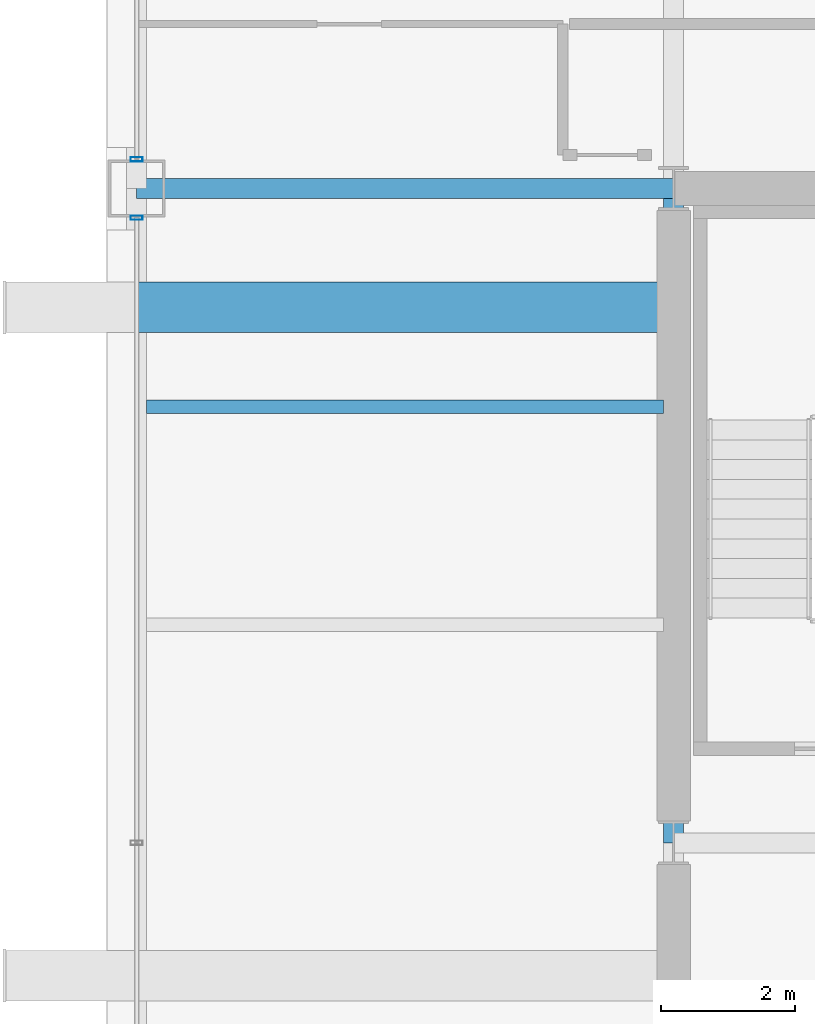
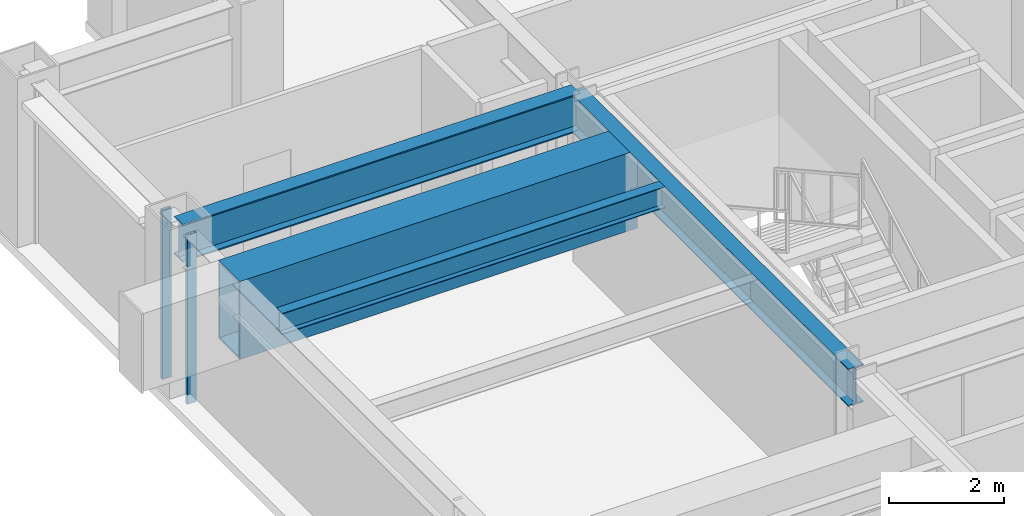
# One storey, part 8 of 28: 4 beams, 2 members, 2 elements without a shape of their own.
"""IFC4 building model written with IfcOpenShell, lengths in metres."""

from ifc_helpers import new_model, si_unit, direction, frame, origin, origin_2d, place, context, subcontext, project, spatial, hollow_rectangle, i_section, extrude, material, layer, layer_set, material_profile, profile_set, type_object, element, aggregate, save


model = new_model("IFC4")

# Units and contexts
model_context = context("Model", 3, precision=1e-05, world=origin(), true_north=direction((0.0, 1.0)))
body_context = subcontext(model_context, "Body", "Model", "MODEL_VIEW")
ifc_project = project(units=[si_unit("LENGTHUNIT", "METRE"), si_unit("AREAUNIT", "SQUARE_METRE"), si_unit("VOLUMEUNIT", "CUBIC_METRE"), si_unit("PLANEANGLEUNIT", "RADIAN"), si_unit("MASSUNIT", "GRAM", prefix="KILO")], contexts=[model_context])

# Site, building, storey
site_placement = place(None, origin())
site = spatial("IfcSite", under=ifc_project, at=site_placement, CompositionType="ELEMENT")
building_placement = place(site_placement, origin())
building = spatial("IfcBuilding", under=site, at=building_placement, Name="Brelmoor Portico Tower", CompositionType="ELEMENT")
storey_placement = place(building_placement, frame((0.0, 0.0, 91.800048828125)))
storey = spatial("IfcBuildingStorey", under=building, at=storey_placement, Name="L23", CompositionType="ELEMENT", Elevation=91.800048828125)

# Beams
ifc_material_1 = material(Name="Steel Q355B", Category="steel")
ifc_material_profile_1 = material_profile(ifc_material_1, i_section(OverallWidth=0.199951171875, OverallDepth=0.449951171875, WebThickness=0.009033203125, FlangeThickness=0.013916015625, at=origin_2d()), Name="HN 450x200x9x14")
ifc_profile_set_1 = profile_set([ifc_material_profile_1], Name="Steel Q355B")
beam_type_1 = type_object("IfcBeamType", Name="BM-JS-450", PredefinedType="JOIST", material=ifc_profile_set_1)
beam_1_placement = place(storey_placement, frame((-22.39990234375, 6.5, 3.175048828125), z_axis=(1.0, 0.0, 0.0), x_axis=(0.0, 1.0, 0.0)))
element("IfcBeam", 1, at=beam_1_placement, inside=storey, type_object=beam_type_1, Name="L23 Secondary Wing Joist JS-W08", PredefinedType="JOIST", context=body_context, shape_type="SweptSolid", body=[
    extrude(i_section(OverallWidth=0.199951171875, OverallDepth=0.449951171875, WebThickness=0.009033203125, FlangeThickness=0.013916015625, at=origin_2d()), origin(), (0.0, 0.0, 1.0), 7.699951171875),
])
ifc_material_profile_2 = material_profile(ifc_material_1, i_section(OverallWidth=0.300048828125, OverallDepth=0.800048828125, WebThickness=0.013916015625, FlangeThickness=0.02587890625, at=origin_2d()), Name="HN 800x300x14x26")
ifc_profile_set_2 = profile_set([ifc_material_profile_2], Name="Steel Q355B")
beam_type_2 = type_object("IfcBeamType", Name="BM-PG-800", PredefinedType="BEAM", material=ifc_profile_set_2)
beam_2_placement = place(storey_placement, frame((-14.550048828125, 0.0, 3.0), z_axis=(0.0, 1.0, 0.0), x_axis=(-1.0, 0.0, 0.0)))
element("IfcBeam", 2, at=beam_2_placement, inside=storey, type_object=beam_type_2, Name="L23 Primary Floor Girder PG-03", PredefinedType="BEAM", context=body_context, shape_type="SweptSolid", body=[
    extrude(i_section(OverallWidth=0.300048828125, OverallDepth=0.800048828125, WebThickness=0.013916015625, FlangeThickness=0.02587890625, at=origin_2d()), origin(), (0.0, 0.0, 1.0), 9.75),
])
beam_3_placement = place(storey_placement, frame((-22.550048828125, 9.75, 3.0), z_axis=(1.0, 0.0, 0.0), x_axis=(0.0, 1.0, 0.0)))
element("IfcBeam", 3, at=beam_3_placement, inside=storey, type_object=beam_type_2, Name="L23 Primary Floor Girder PG-21", PredefinedType="BEAM", context=body_context, shape_type="SweptSolid", body=[
    extrude(i_section(OverallWidth=0.300048828125, OverallDepth=0.800048828125, WebThickness=0.013916015625, FlangeThickness=0.02587890625, at=origin_2d()), origin(), (0.0, 0.0, 1.0), 8.0),
])
ifc_material_profile_3 = material_profile(ifc_material_1, hollow_rectangle(XDim=0.75, YDim=1.659912109375, WallThickness=0.0419921875, at=origin_2d()), Name="BOX 750x1660x42")
ifc_profile_set_3 = profile_set([ifc_material_profile_3], Name="Steel Q355B")
beam_type_3 = type_object("IfcBeamType", Name="BM-TG-Z2", PredefinedType="BEAM", material=ifc_profile_set_3)
beam_4_placement = place(storey_placement, frame((-22.550048828125, 7.97998046875, 2.570068359375), z_axis=(1.0, 0.0, 0.0), x_axis=(0.0, 1.0, 0.0)))
element("IfcBeam", 4, at=beam_4_placement, inside=storey, type_object=beam_type_3, Name="L23 Picture-Frame Backspan Transfer Girder PFBS-06", PredefinedType="BEAM", context=body_context, shape_type="SweptSolid", body=[
    extrude(hollow_rectangle(XDim=0.75, YDim=1.659912109375, WallThickness=0.0419921875, at=origin_2d()), origin(), (0.0, 0.0, 1.0), 8.0),
])

# Curtain wall, member
ifc_material_2 = material(Name="Anodised Aluminium Alloy 6063-T6", Category="aluminium")
ifc_layer = layer(ifc_material_2, 0.179931640625)
ifc_layer_set = layer_set([ifc_layer], Name="Anodised Aluminium Alloy 6063-T6")
curtain_wall_type = type_object("IfcCurtainWallType", Name="CW-TOWER-Z2-XB", PredefinedType="NOTDEFINED", material=ifc_layer_set)
curtain_wall_1_placement = place(storey_placement, origin())
curtain_wall_1 = element("IfcCurtainWall", 5, at=curtain_wall_1_placement, inside=storey, type_object=curtain_wall_type, Name="L23 Curtain Wall CW-L23-03-2", PredefinedType="NOTDEFINED")
ifc_material_profile_4 = material_profile(ifc_material_2, hollow_rectangle(XDim=0.06494140625, YDim=0.179931640625, WallThickness=0.00390625, at=origin_2d()), Name="ALU MULLION 65x180")
ifc_profile_set_4 = profile_set([ifc_material_profile_4], Name="Anodised Aluminium Alloy 6063-T6")
member_type = type_object("IfcMemberType", Name="MB-CW-MULL-180", PredefinedType="MULLION", material=ifc_profile_set_4)
member_1_placement = place(storey_placement, frame((-22.550048828125, 9.31494140625, -0.199951171875), z_axis=(0.0, 0.0, 1.0), x_axis=(0.0, 1.0, 0.0)))
member_1 = element("IfcMember", 6, at=member_1_placement, type_object=member_type, Name="CW-L23-03-2 Mullion 02", PredefinedType="MULLION", context=body_context, shape_type="SweptSolid", body=[
    extrude(hollow_rectangle(XDim=0.06494140625, YDim=0.179931640625, WallThickness=0.00390625, at=origin_2d()), origin(), (0.0, 0.0, 1.0), 3.599853515625),
])
aggregate(curtain_wall_1, [member_1])

curtain_wall_2_placement = place(storey_placement, origin())
curtain_wall_2 = element("IfcCurtainWall", 7, at=curtain_wall_2_placement, inside=storey, type_object=curtain_wall_type, Name="L23 Curtain Wall CW-L23-03-3", PredefinedType="NOTDEFINED")
member_2_placement = place(storey_placement, frame((-22.550048828125, 10.18505859375, -0.199951171875), z_axis=(0.0, 0.0, 1.0), x_axis=(0.0, 1.0, 0.0)))
member_2 = element("IfcMember", 8, at=member_2_placement, type_object=member_type, Name="CW-L23-03-3 Mullion 00", PredefinedType="MULLION", context=body_context, shape_type="SweptSolid", body=[
    extrude(hollow_rectangle(XDim=0.06494140625, YDim=0.179931640625, WallThickness=0.00390625, at=origin_2d()), origin(), (0.0, 0.0, 1.0), 3.599853515625),
])
aggregate(curtain_wall_2, [member_2])

save(model, "model.ifc")
